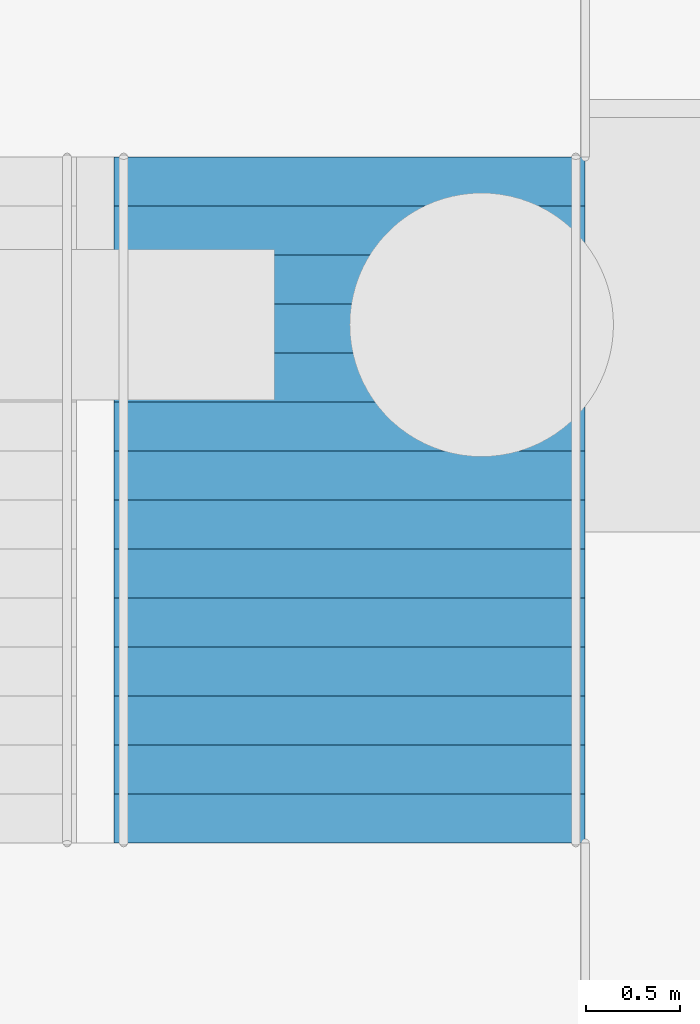
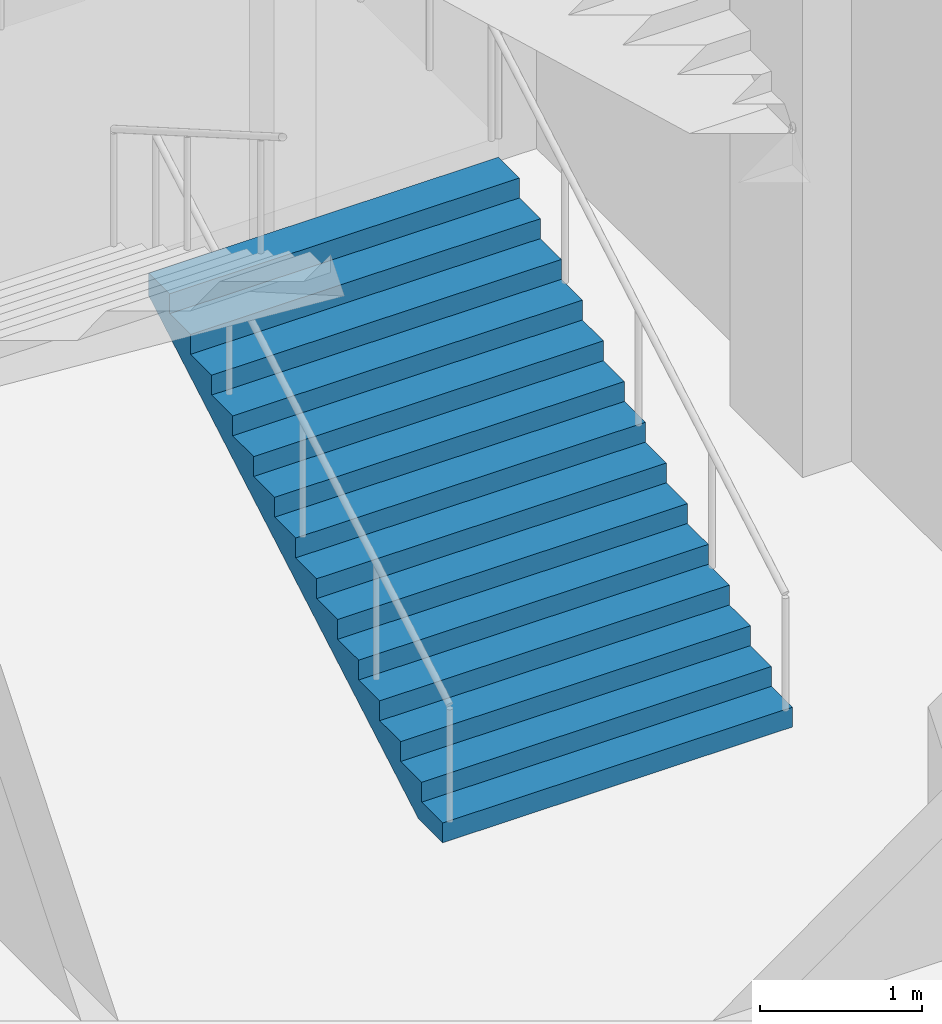
# One storey, part 50 of 113: 1 stair flight, 1 element without a shape of its own.
"""IFC4 building model written with IfcOpenShell, lengths in metres."""

from ifc_helpers import new_model, si_unit, direction, frame, origin, place, context, subcontext, project, spatial, triangles, material, type_object, element, aggregate, save


model = new_model("IFC4")

# Units and contexts
model_context = context("Model", 3, precision=1e-05, world=origin(), true_north=direction((0.0, 1.0)))
body_context = subcontext(model_context, "Body", "Model", "MODEL_VIEW")
ifc_project = project(units=[si_unit("LENGTHUNIT", "METRE"), si_unit("AREAUNIT", "SQUARE_METRE"), si_unit("VOLUMEUNIT", "CUBIC_METRE"), si_unit("PLANEANGLEUNIT", "RADIAN"), si_unit("MASSUNIT", "GRAM", prefix="KILO")], contexts=[model_context])

# Site, building, storey
site_placement = place(None, origin())
site = spatial("IfcSite", under=ifc_project, at=site_placement, CompositionType="ELEMENT")
building_placement = place(site_placement, origin())
building = spatial("IfcBuilding", under=site, at=building_placement, Name="Hakoniwa Tower and Hamabe Station Hall", CompositionType="ELEMENT")
storey_placement = place(building_placement, origin())
storey = spatial("IfcBuildingStorey", under=building, at=storey_placement, Name="L01", CompositionType="ELEMENT", Elevation=0.0)

# Stair, stair flight
ifc_material_1 = material(Name="Concrete C40", Category="concrete")
stair_type = type_object("IfcStairType", Name="STAIR 2500 15X150", PredefinedType="HALF_TURN_STAIR", material=ifc_material_1)
stair_placement = place(storey_placement, origin())
stair = element("IfcStair", 1, at=stair_placement, inside=storey, type_object=stair_type, Name="Escape stair PS4", PredefinedType="HALF_TURN_STAIR")
ifc_material_2 = material(Name="Concrete C40", Category="concrete")
stair_flight_type = type_object("IfcStairFlightType", Name="STAIR FLIGHT 2500", PredefinedType="STRAIGHT", material=ifc_material_2)
stair_flight_placement = place(storey_placement, frame((-45.10009765625, -22.35009765625, 0.0), z_axis=(0.0, 0.0, 1.0), x_axis=(0.0, 1.0, 0.0)))
stair_flight = element("IfcStairFlight", 2, at=stair_flight_placement, type_object=stair_flight_type, Name="PS4 flight 1", NumberOfRisers=15, NumberOfTreads=14, PredefinedType="STRAIGHT", RiserHeight=0.15, TreadLength=0.26, context=body_context, shape_type="Tessellation", body=[
    triangles([(0.0, 1.25, 0.0), (0.260009765625, 1.25, 0.0), (0.300048828125, 1.25, 0.0), (0.52001953125, 1.25, 0.126953125), (0.780029296875, 1.25, 0.27685546875), (1.0400390625, 1.25, 0.427001953125), (1.300048828125, 1.25, 0.576904296875), (1.56005859375, 1.25, 0.72705078125), (1.820068359375, 1.25, 0.876953125), (2.080078125, 1.25, 1.02685546875), (2.340087890625, 1.25, 1.177001953125), (2.60009765625, 1.25, 1.326904296875), (2.860107421875, 1.25, 1.47705078125), (3.1201171875, 1.25, 1.626953125), (3.3798828125, 1.25, 1.77685546875), (3.639892578125, 1.25, 1.927001953125), (3.639892578125, 1.25, 2.10009765625), (3.3798828125, 1.25, 2.10009765625), (3.3798828125, 1.25, 1.949951171875), (3.1201171875, 1.25, 1.949951171875), (3.1201171875, 1.25, 1.800048828125), (2.860107421875, 1.25, 1.800048828125), (2.860107421875, 1.25, 1.64990234375), (2.60009765625, 1.25, 1.64990234375), (2.60009765625, 1.25, 1.5), (2.340087890625, 1.25, 1.5), (2.340087890625, 1.25, 1.35009765625), (2.080078125, 1.25, 1.35009765625), (2.080078125, 1.25, 1.199951171875), (1.820068359375, 1.25, 1.199951171875), (1.820068359375, 1.25, 1.050048828125), (1.56005859375, 1.25, 1.050048828125), (1.56005859375, 1.25, 0.89990234375), (1.300048828125, 1.25, 0.89990234375), (1.300048828125, 1.25, 0.75), (1.0400390625, 1.25, 0.75), (1.0400390625, 1.25, 0.60009765625), (0.780029296875, 1.25, 0.60009765625), (0.780029296875, 1.25, 0.449951171875), (0.52001953125, 1.25, 0.449951171875), (0.52001953125, 1.25, 0.300048828125), (0.300048828125, 1.25, 0.300048828125), (0.260009765625, 1.25, 0.300048828125), (0.260009765625, 1.25, 0.14990234375), (0.0, 1.25, 0.14990234375), (0.0, 0.06005859375, 0.0), (0.260009765625, 0.06005859375, 0.0), (0.300048828125, 0.06005859375, 0.0), (0.52001953125, 0.06005859375, 0.126953125), (0.780029296875, 0.06005859375, 0.27685546875), (1.0400390625, 0.06005859375, 0.427001953125), (1.300048828125, 0.06005859375, 0.576904296875), (1.56005859375, 0.06005859375, 0.72705078125), (1.820068359375, 0.06005859375, 0.876953125), (2.080078125, 0.06005859375, 1.02685546875), (2.340087890625, 0.06005859375, 1.177001953125), (2.60009765625, 0.06005859375, 1.326904296875), (2.860107421875, 0.06005859375, 1.47705078125), (3.1201171875, 0.06005859375, 1.626953125), (3.3798828125, 0.06005859375, 1.77685546875), (3.639892578125, 0.06005859375, 1.927001953125), (3.639892578125, 0.06005859375, 2.10009765625), (3.3798828125, 0.06005859375, 2.10009765625), (3.3798828125, 0.06005859375, 1.949951171875), (3.1201171875, 0.06005859375, 1.949951171875), (3.1201171875, 0.06005859375, 1.800048828125), (2.860107421875, 0.06005859375, 1.800048828125), (2.860107421875, 0.06005859375, 1.64990234375), (2.60009765625, 0.06005859375, 1.64990234375), (2.60009765625, 0.06005859375, 1.5), (2.340087890625, 0.06005859375, 1.5), (2.340087890625, 0.06005859375, 1.35009765625), (2.080078125, 0.06005859375, 1.35009765625), (2.080078125, 0.06005859375, 1.199951171875), (1.820068359375, 0.06005859375, 1.199951171875), (1.820068359375, 0.06005859375, 1.050048828125), (1.56005859375, 0.06005859375, 1.050048828125), (1.56005859375, 0.06005859375, 0.89990234375), (1.300048828125, 0.06005859375, 0.89990234375), (1.300048828125, 0.06005859375, 0.75), (1.0400390625, 0.06005859375, 0.75), (1.0400390625, 0.06005859375, 0.60009765625), (0.780029296875, 0.06005859375, 0.60009765625), (0.780029296875, 0.06005859375, 0.449951171875), (0.52001953125, 0.06005859375, 0.449951171875), (0.52001953125, 0.06005859375, 0.300048828125), (0.300048828125, 0.06005859375, 0.300048828125), (0.260009765625, 0.06005859375, 0.300048828125), (0.260009765625, 0.06005859375, 0.14990234375), (0.0, 0.06005859375, 0.14990234375), (0.0, 0.02001953125, 0.0), (0.260009765625, 0.02001953125, 0.0), (0.300048828125, 0.02001953125, 0.0), (0.52001953125, 0.02001953125, 0.126953125), (0.780029296875, 0.02001953125, 0.27685546875), (1.0400390625, 0.02001953125, 0.427001953125), (1.300048828125, 0.02001953125, 0.576904296875), (1.56005859375, 0.02001953125, 0.72705078125), (1.820068359375, 0.02001953125, 0.876953125), (2.080078125, 0.02001953125, 1.02685546875), (2.340087890625, 0.02001953125, 1.177001953125), (2.60009765625, 0.02001953125, 1.326904296875), (2.860107421875, 0.02001953125, 1.47705078125), (3.1201171875, 0.02001953125, 1.626953125), (3.3798828125, 0.02001953125, 1.77685546875), (3.639892578125, 0.02001953125, 1.927001953125), (3.639892578125, 0.02001953125, 2.10009765625), (3.3798828125, 0.02001953125, 2.10009765625), (3.3798828125, 0.02001953125, 1.949951171875), (3.1201171875, 0.02001953125, 1.949951171875), (3.1201171875, 0.02001953125, 1.800048828125), (2.860107421875, 0.02001953125, 1.800048828125), (2.860107421875, 0.02001953125, 1.64990234375), (2.60009765625, 0.02001953125, 1.64990234375), (2.60009765625, 0.02001953125, 1.5), (2.340087890625, 0.02001953125, 1.5), (2.340087890625, 0.02001953125, 1.35009765625), (2.080078125, 0.02001953125, 1.35009765625), (2.080078125, 0.02001953125, 1.199951171875), (1.820068359375, 0.02001953125, 1.199951171875), (1.820068359375, 0.02001953125, 1.050048828125), (1.56005859375, 0.02001953125, 1.050048828125), (1.56005859375, 0.02001953125, 0.89990234375), (1.300048828125, 0.02001953125, 0.89990234375), (1.300048828125, 0.02001953125, 0.75), (1.0400390625, 0.02001953125, 0.75), (1.0400390625, 0.02001953125, 0.60009765625), (0.780029296875, 0.02001953125, 0.60009765625), (0.780029296875, 0.02001953125, 0.449951171875), (0.52001953125, 0.02001953125, 0.449951171875), (0.52001953125, 0.02001953125, 0.300048828125), (0.300048828125, 0.02001953125, 0.300048828125), (0.260009765625, 0.02001953125, 0.300048828125), (0.260009765625, 0.02001953125, 0.14990234375), (0.0, 0.02001953125, 0.14990234375), (0.0, -0.02001953125, 0.0), (0.260009765625, -0.02001953125, 0.0), (0.300048828125, -0.02001953125, 0.0), (0.52001953125, -0.02001953125, 0.126953125), (0.780029296875, -0.02001953125, 0.27685546875), (1.0400390625, -0.02001953125, 0.427001953125), (1.300048828125, -0.02001953125, 0.576904296875), (1.56005859375, -0.02001953125, 0.72705078125), (1.820068359375, -0.02001953125, 0.876953125), (2.080078125, -0.02001953125, 1.02685546875), (2.340087890625, -0.02001953125, 1.177001953125), (2.60009765625, -0.02001953125, 1.326904296875), (2.860107421875, -0.02001953125, 1.47705078125), (3.1201171875, -0.02001953125, 1.626953125), (3.3798828125, -0.02001953125, 1.77685546875), (3.639892578125, -0.02001953125, 1.927001953125), (3.639892578125, -0.02001953125, 2.10009765625), (3.3798828125, -0.02001953125, 2.10009765625), (3.3798828125, -0.02001953125, 1.949951171875), (3.1201171875, -0.02001953125, 1.949951171875), (3.1201171875, -0.02001953125, 1.800048828125), (2.860107421875, -0.02001953125, 1.800048828125), (2.860107421875, -0.02001953125, 1.64990234375), (2.60009765625, -0.02001953125, 1.64990234375), (2.60009765625, -0.02001953125, 1.5), (2.340087890625, -0.02001953125, 1.5), (2.340087890625, -0.02001953125, 1.35009765625), (2.080078125, -0.02001953125, 1.35009765625), (2.080078125, -0.02001953125, 1.199951171875), (1.820068359375, -0.02001953125, 1.199951171875), (1.820068359375, -0.02001953125, 1.050048828125), (1.56005859375, -0.02001953125, 1.050048828125), (1.56005859375, -0.02001953125, 0.89990234375), (1.300048828125, -0.02001953125, 0.89990234375), (1.300048828125, -0.02001953125, 0.75), (1.0400390625, -0.02001953125, 0.75), (1.0400390625, -0.02001953125, 0.60009765625), (0.780029296875, -0.02001953125, 0.60009765625), (0.780029296875, -0.02001953125, 0.449951171875), (0.52001953125, -0.02001953125, 0.449951171875), (0.52001953125, -0.02001953125, 0.300048828125), (0.300048828125, -0.02001953125, 0.300048828125), (0.260009765625, -0.02001953125, 0.300048828125), (0.260009765625, -0.02001953125, 0.14990234375), (0.0, -0.02001953125, 0.14990234375), (0.0, -0.06005859375, 0.0), (0.260009765625, -0.06005859375, 0.0), (0.300048828125, -0.06005859375, 0.0), (0.52001953125, -0.06005859375, 0.126953125), (0.780029296875, -0.06005859375, 0.27685546875), (1.0400390625, -0.06005859375, 0.427001953125), (1.300048828125, -0.06005859375, 0.576904296875), (1.56005859375, -0.06005859375, 0.72705078125), (1.820068359375, -0.06005859375, 0.876953125), (2.080078125, -0.06005859375, 1.02685546875), (2.340087890625, -0.06005859375, 1.177001953125), (2.60009765625, -0.06005859375, 1.326904296875), (2.860107421875, -0.06005859375, 1.47705078125), (3.1201171875, -0.06005859375, 1.626953125), (3.3798828125, -0.06005859375, 1.77685546875), (3.639892578125, -0.06005859375, 1.927001953125), (3.639892578125, -0.06005859375, 2.10009765625), (3.3798828125, -0.06005859375, 2.10009765625), (3.3798828125, -0.06005859375, 1.949951171875), (3.1201171875, -0.06005859375, 1.949951171875), (3.1201171875, -0.06005859375, 1.800048828125), (2.860107421875, -0.06005859375, 1.800048828125), (2.860107421875, -0.06005859375, 1.64990234375), (2.60009765625, -0.06005859375, 1.64990234375), (2.60009765625, -0.06005859375, 1.5), (2.340087890625, -0.06005859375, 1.5), (2.340087890625, -0.06005859375, 1.35009765625), (2.080078125, -0.06005859375, 1.35009765625), (2.080078125, -0.06005859375, 1.199951171875), (1.820068359375, -0.06005859375, 1.199951171875), (1.820068359375, -0.06005859375, 1.050048828125), (1.56005859375, -0.06005859375, 1.050048828125), (1.56005859375, -0.06005859375, 0.89990234375), (1.300048828125, -0.06005859375, 0.89990234375), (1.300048828125, -0.06005859375, 0.75), (1.0400390625, -0.06005859375, 0.75), (1.0400390625, -0.06005859375, 0.60009765625), (0.780029296875, -0.06005859375, 0.60009765625), (0.780029296875, -0.06005859375, 0.449951171875), (0.52001953125, -0.06005859375, 0.449951171875), (0.52001953125, -0.06005859375, 0.300048828125), (0.300048828125, -0.06005859375, 0.300048828125), (0.260009765625, -0.06005859375, 0.300048828125), (0.260009765625, -0.06005859375, 0.14990234375), (0.0, -0.06005859375, 0.14990234375), (0.0, -1.25, 0.0), (0.260009765625, -1.25, 0.0), (0.300048828125, -1.25, 0.0), (0.52001953125, -1.25, 0.126953125), (0.780029296875, -1.25, 0.27685546875), (1.0400390625, -1.25, 0.427001953125), (1.300048828125, -1.25, 0.576904296875), (1.56005859375, -1.25, 0.72705078125), (1.820068359375, -1.25, 0.876953125), (2.080078125, -1.25, 1.02685546875), (2.340087890625, -1.25, 1.177001953125), (2.60009765625, -1.25, 1.326904296875), (2.860107421875, -1.25, 1.47705078125), (3.1201171875, -1.25, 1.626953125), (3.3798828125, -1.25, 1.77685546875), (3.639892578125, -1.25, 1.927001953125), (3.639892578125, -1.25, 2.10009765625), (3.3798828125, -1.25, 2.10009765625), (3.3798828125, -1.25, 1.949951171875), (3.1201171875, -1.25, 1.949951171875), (3.1201171875, -1.25, 1.800048828125), (2.860107421875, -1.25, 1.800048828125), (2.860107421875, -1.25, 1.64990234375), (2.60009765625, -1.25, 1.64990234375), (2.60009765625, -1.25, 1.5), (2.340087890625, -1.25, 1.5), (2.340087890625, -1.25, 1.35009765625), (2.080078125, -1.25, 1.35009765625), (2.080078125, -1.25, 1.199951171875), (1.820068359375, -1.25, 1.199951171875), (1.820068359375, -1.25, 1.050048828125), (1.56005859375, -1.25, 1.050048828125), (1.56005859375, -1.25, 0.89990234375), (1.300048828125, -1.25, 0.89990234375), (1.300048828125, -1.25, 0.75), (1.0400390625, -1.25, 0.75), (1.0400390625, -1.25, 0.60009765625), (0.780029296875, -1.25, 0.60009765625), (0.780029296875, -1.25, 0.449951171875), (0.52001953125, -1.25, 0.449951171875), (0.52001953125, -1.25, 0.300048828125), (0.300048828125, -1.25, 0.300048828125), (0.260009765625, -1.25, 0.300048828125), (0.260009765625, -1.25, 0.14990234375), (0.0, -1.25, 0.14990234375)], [[2, 45, 44], [227, 269, 270], [2, 1, 45], [227, 270, 226], [3, 43, 42], [228, 267, 268], [3, 44, 43], [228, 268, 269], [3, 2, 44], [228, 269, 227], [4, 42, 41], [229, 266, 267], [4, 3, 42], [229, 267, 228], [5, 40, 39], [230, 264, 265], [5, 41, 40], [230, 265, 266], [5, 4, 41], [230, 266, 229], [6, 38, 37], [231, 262, 263], [6, 39, 38], [231, 263, 264], [6, 5, 39], [231, 264, 230], [7, 36, 35], [232, 260, 261], [7, 37, 36], [232, 261, 262], [7, 6, 37], [232, 262, 231], [8, 34, 33], [233, 258, 259], [8, 35, 34], [233, 259, 260], [8, 7, 35], [233, 260, 232], [9, 32, 31], [234, 256, 257], [9, 33, 32], [234, 257, 258], [9, 8, 33], [234, 258, 233], [10, 30, 29], [235, 254, 255], [10, 31, 30], [235, 255, 256], [10, 9, 31], [235, 256, 234], [11, 28, 27], [236, 252, 253], [11, 29, 28], [236, 253, 254], [11, 10, 29], [236, 254, 235], [12, 26, 25], [237, 250, 251], [12, 27, 26], [237, 251, 252], [12, 11, 27], [237, 252, 236], [13, 24, 23], [238, 248, 249], [13, 25, 24], [238, 249, 250], [13, 12, 25], [238, 250, 237], [14, 22, 21], [239, 246, 247], [14, 23, 22], [239, 247, 248], [14, 13, 23], [239, 248, 238], [15, 20, 19], [240, 244, 245], [15, 21, 20], [240, 245, 246], [15, 14, 21], [240, 246, 239], [16, 18, 17], [241, 242, 243], [16, 19, 18], [241, 243, 244], [16, 15, 19], [241, 244, 240], [1, 2, 47], [1, 47, 46], [46, 47, 92], [46, 92, 91], [91, 92, 137], [91, 137, 136], [136, 137, 182], [136, 182, 181], [181, 182, 227], [181, 227, 226], [2, 3, 48], [2, 48, 47], [47, 48, 93], [47, 93, 92], [92, 93, 138], [92, 138, 137], [137, 138, 183], [137, 183, 182], [182, 183, 228], [182, 228, 227], [3, 4, 49], [3, 49, 48], [48, 49, 94], [48, 94, 93], [93, 94, 139], [93, 139, 138], [138, 139, 184], [138, 184, 183], [183, 184, 229], [183, 229, 228], [4, 5, 50], [4, 50, 49], [49, 50, 95], [49, 95, 94], [94, 95, 140], [94, 140, 139], [139, 140, 185], [139, 185, 184], [184, 185, 230], [184, 230, 229], [5, 6, 51], [5, 51, 50], [50, 51, 96], [50, 96, 95], [95, 96, 141], [95, 141, 140], [140, 141, 186], [140, 186, 185], [185, 186, 231], [185, 231, 230], [6, 7, 52], [6, 52, 51], [51, 52, 97], [51, 97, 96], [96, 97, 142], [96, 142, 141], [141, 142, 187], [141, 187, 186], [186, 187, 232], [186, 232, 231], [7, 8, 53], [7, 53, 52], [52, 53, 98], [52, 98, 97], [97, 98, 143], [97, 143, 142], [142, 143, 188], [142, 188, 187], [187, 188, 233], [187, 233, 232], [8, 9, 54], [8, 54, 53], [53, 54, 99], [53, 99, 98], [98, 99, 144], [98, 144, 143], [143, 144, 189], [143, 189, 188], [188, 189, 234], [188, 234, 233], [9, 10, 55], [9, 55, 54], [54, 55, 100], [54, 100, 99], [99, 100, 145], [99, 145, 144], [144, 145, 190], [144, 190, 189], [189, 190, 235], [189, 235, 234], [10, 11, 56], [10, 56, 55], [55, 56, 101], [55, 101, 100], [100, 101, 146], [100, 146, 145], [145, 146, 191], [145, 191, 190], [190, 191, 236], [190, 236, 235], [11, 12, 57], [11, 57, 56], [56, 57, 102], [56, 102, 101], [101, 102, 147], [101, 147, 146], [146, 147, 192], [146, 192, 191], [191, 192, 237], [191, 237, 236], [12, 13, 58], [12, 58, 57], [57, 58, 103], [57, 103, 102], [102, 103, 148], [102, 148, 147], [147, 148, 193], [147, 193, 192], [192, 193, 238], [192, 238, 237], [13, 14, 59], [13, 59, 58], [58, 59, 104], [58, 104, 103], [103, 104, 149], [103, 149, 148], [148, 149, 194], [148, 194, 193], [193, 194, 239], [193, 239, 238], [14, 15, 60], [14, 60, 59], [59, 60, 105], [59, 105, 104], [104, 105, 150], [104, 150, 149], [149, 150, 195], [149, 195, 194], [194, 195, 240], [194, 240, 239], [15, 16, 61], [15, 61, 60], [60, 61, 106], [60, 106, 105], [105, 106, 151], [105, 151, 150], [150, 151, 196], [150, 196, 195], [195, 196, 241], [195, 241, 240], [16, 17, 62], [16, 62, 61], [61, 62, 107], [61, 107, 106], [106, 107, 152], [106, 152, 151], [151, 152, 197], [151, 197, 196], [196, 197, 242], [196, 242, 241], [17, 18, 63], [17, 63, 62], [62, 63, 108], [62, 108, 107], [107, 108, 153], [107, 153, 152], [152, 153, 198], [152, 198, 197], [197, 198, 243], [197, 243, 242], [18, 19, 64], [18, 64, 63], [63, 64, 109], [63, 109, 108], [108, 109, 154], [108, 154, 153], [153, 154, 199], [153, 199, 198], [198, 199, 244], [198, 244, 243], [19, 20, 65], [19, 65, 64], [64, 65, 110], [64, 110, 109], [109, 110, 155], [109, 155, 154], [154, 155, 200], [154, 200, 199], [199, 200, 245], [199, 245, 244], [20, 21, 66], [20, 66, 65], [65, 66, 111], [65, 111, 110], [110, 111, 156], [110, 156, 155], [155, 156, 201], [155, 201, 200], [200, 201, 246], [200, 246, 245], [21, 22, 67], [21, 67, 66], [66, 67, 112], [66, 112, 111], [111, 112, 157], [111, 157, 156], [156, 157, 202], [156, 202, 201], [201, 202, 247], [201, 247, 246], [22, 23, 68], [22, 68, 67], [67, 68, 113], [67, 113, 112], [112, 113, 158], [112, 158, 157], [157, 158, 203], [157, 203, 202], [202, 203, 248], [202, 248, 247], [23, 24, 69], [23, 69, 68], [68, 69, 114], [68, 114, 113], [113, 114, 159], [113, 159, 158], [158, 159, 204], [158, 204, 203], [203, 204, 249], [203, 249, 248], [24, 25, 70], [24, 70, 69], [69, 70, 115], [69, 115, 114], [114, 115, 160], [114, 160, 159], [159, 160, 205], [159, 205, 204], [204, 205, 250], [204, 250, 249], [25, 26, 71], [25, 71, 70], [70, 71, 116], [70, 116, 115], [115, 116, 161], [115, 161, 160], [160, 161, 206], [160, 206, 205], [205, 206, 251], [205, 251, 250], [26, 27, 72], [26, 72, 71], [71, 72, 117], [71, 117, 116], [116, 117, 162], [116, 162, 161], [161, 162, 207], [161, 207, 206], [206, 207, 252], [206, 252, 251], [27, 28, 73], [27, 73, 72], [72, 73, 118], [72, 118, 117], [117, 118, 163], [117, 163, 162], [162, 163, 208], [162, 208, 207], [207, 208, 253], [207, 253, 252], [28, 29, 74], [28, 74, 73], [73, 74, 119], [73, 119, 118], [118, 119, 164], [118, 164, 163], [163, 164, 209], [163, 209, 208], [208, 209, 254], [208, 254, 253], [29, 30, 75], [29, 75, 74], [74, 75, 120], [74, 120, 119], [119, 120, 165], [119, 165, 164], [164, 165, 210], [164, 210, 209], [209, 210, 255], [209, 255, 254], [30, 31, 76], [30, 76, 75], [75, 76, 121], [75, 121, 120], [120, 121, 166], [120, 166, 165], [165, 166, 211], [165, 211, 210], [210, 211, 256], [210, 256, 255], [31, 32, 77], [31, 77, 76], [76, 77, 122], [76, 122, 121], [121, 122, 167], [121, 167, 166], [166, 167, 212], [166, 212, 211], [211, 212, 257], [211, 257, 256], [32, 33, 78], [32, 78, 77], [77, 78, 123], [77, 123, 122], [122, 123, 168], [122, 168, 167], [167, 168, 213], [167, 213, 212], [212, 213, 258], [212, 258, 257], [33, 34, 79], [33, 79, 78], [78, 79, 124], [78, 124, 123], [123, 124, 169], [123, 169, 168], [168, 169, 214], [168, 214, 213], [213, 214, 259], [213, 259, 258], [34, 35, 80], [34, 80, 79], [79, 80, 125], [79, 125, 124], [124, 125, 170], [124, 170, 169], [169, 170, 215], [169, 215, 214], [214, 215, 260], [214, 260, 259], [35, 36, 81], [35, 81, 80], [80, 81, 126], [80, 126, 125], [125, 126, 171], [125, 171, 170], [170, 171, 216], [170, 216, 215], [215, 216, 261], [215, 261, 260], [36, 37, 82], [36, 82, 81], [81, 82, 127], [81, 127, 126], [126, 127, 172], [126, 172, 171], [171, 172, 217], [171, 217, 216], [216, 217, 262], [216, 262, 261], [37, 38, 83], [37, 83, 82], [82, 83, 128], [82, 128, 127], [127, 128, 173], [127, 173, 172], [172, 173, 218], [172, 218, 217], [217, 218, 263], [217, 263, 262], [38, 39, 84], [38, 84, 83], [83, 84, 129], [83, 129, 128], [128, 129, 174], [128, 174, 173], [173, 174, 219], [173, 219, 218], [218, 219, 264], [218, 264, 263], [39, 40, 85], [39, 85, 84], [84, 85, 130], [84, 130, 129], [129, 130, 175], [129, 175, 174], [174, 175, 220], [174, 220, 219], [219, 220, 265], [219, 265, 264], [40, 41, 86], [40, 86, 85], [85, 86, 131], [85, 131, 130], [130, 131, 176], [130, 176, 175], [175, 176, 221], [175, 221, 220], [220, 221, 266], [220, 266, 265], [41, 42, 87], [41, 87, 86], [86, 87, 132], [86, 132, 131], [131, 132, 177], [131, 177, 176], [176, 177, 222], [176, 222, 221], [221, 222, 267], [221, 267, 266], [42, 43, 88], [42, 88, 87], [87, 88, 133], [87, 133, 132], [132, 133, 178], [132, 178, 177], [177, 178, 223], [177, 223, 222], [222, 223, 268], [222, 268, 267], [43, 44, 89], [43, 89, 88], [88, 89, 134], [88, 134, 133], [133, 134, 179], [133, 179, 178], [178, 179, 224], [178, 224, 223], [223, 224, 269], [223, 269, 268], [44, 45, 90], [44, 90, 89], [89, 90, 135], [89, 135, 134], [134, 135, 180], [134, 180, 179], [179, 180, 225], [179, 225, 224], [224, 225, 270], [224, 270, 269], [45, 1, 46], [45, 46, 90], [90, 46, 91], [90, 91, 135], [135, 91, 136], [135, 136, 180], [180, 136, 181], [180, 181, 225], [225, 181, 226], [225, 226, 270]], closed=True),
])
aggregate(stair, [stair_flight])

save(model, "model.ifc")
